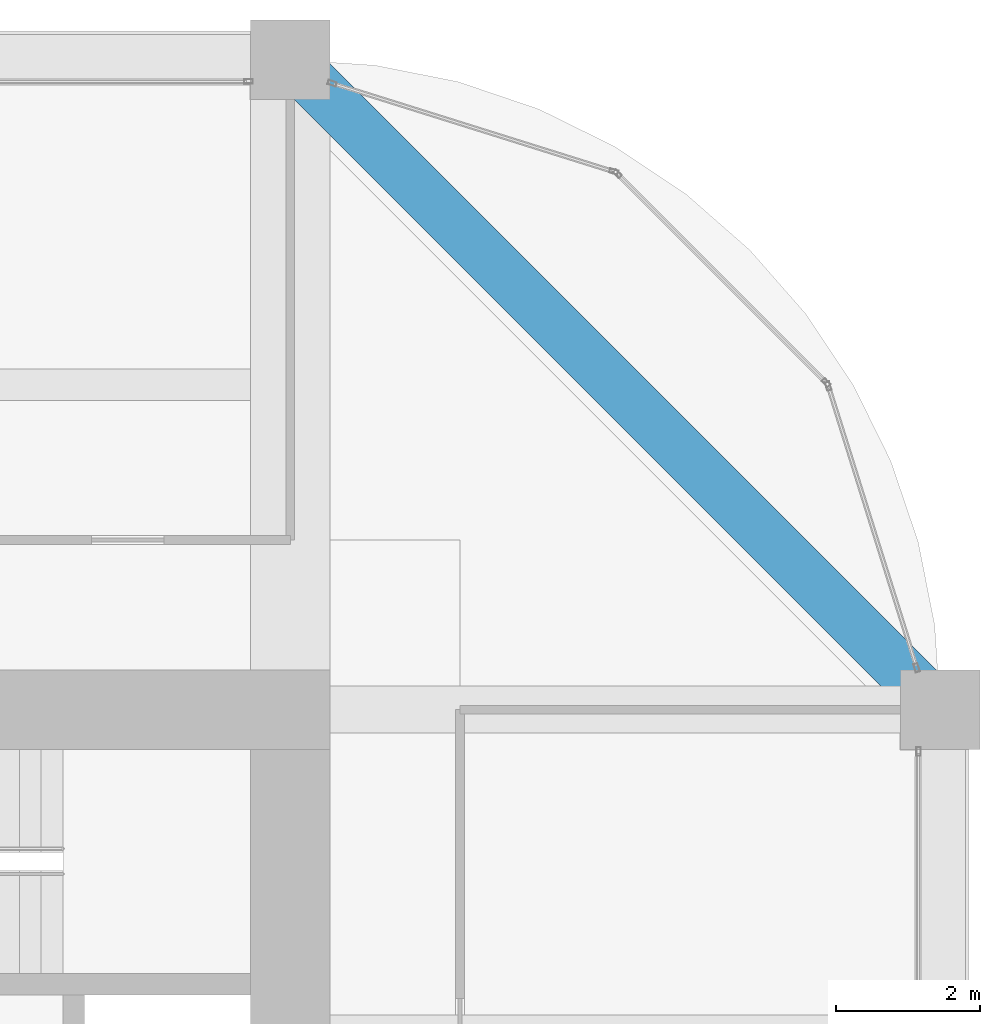
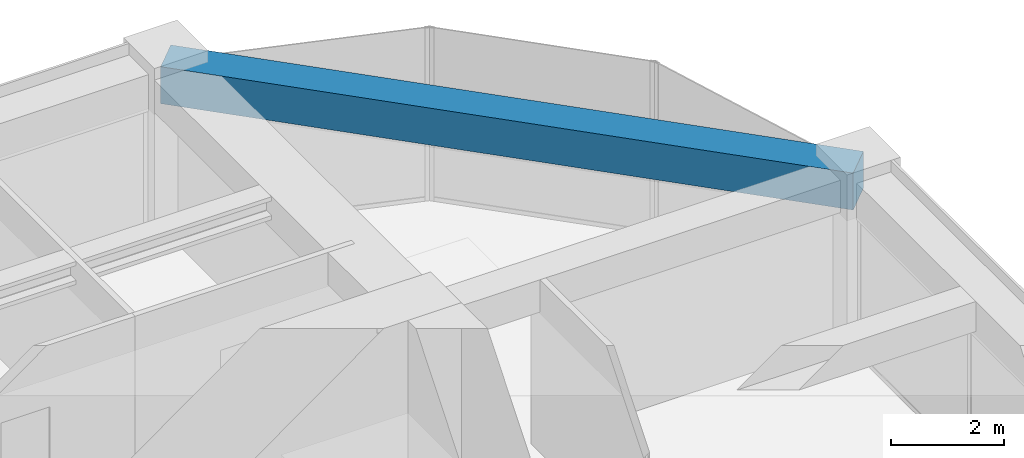
# One storey, part 38 of 44: 1 beam.
"""IFC4 building model written with IfcOpenShell, lengths in metres."""

import ifcopenshell
import ifcopenshell.guid

model = None  # the IFC model being written
_history = None  # IfcOwnerHistory: only IFC2X3 demands one
_inside = {}  # id of a spatial element -> (the spatial element, [elements in it])
_under = {}  # id of a project, library or spatial element -> (it, [spatial elements below it])
_declared = {}  # id of a project -> (the project, [libraries it declares])
_typed = {}  # id of a type object -> (the type object, [elements of that type])
_made_of = {}  # id of a material, layer set ... -> (it, [elements and type objects made of it])


def new_model(schema):
    """Start an empty IFC model of exactly this schema.

    Asked for "IFC4X3", IfcOpenShell would pick the latest addendum, in which some entities
    have other attributes; the version numbers below select the first issue.
    IFC2X3 requires an IfcOwnerHistory on every rooted entity: one is made here for all.
    """
    global model, _history
    if schema == "IFC4X3":
        model = ifcopenshell.file(schema_version=(4, 3, 0, 0))
    else:
        model = ifcopenshell.file(schema=schema)
    _inside.clear()
    _under.clear()
    _declared.clear()
    _typed.clear()
    _made_of.clear()
    _history = None
    if model.schema == "IFC2X3":
        org = make("IfcOrganization", Name="unknown")
        user = make(
            "IfcPersonAndOrganization",
            ThePerson=make("IfcPerson", FamilyName="unknown"),
            TheOrganization=org,
        )
        app = make(
            "IfcApplication",
            ApplicationDeveloper=org,
            Version="unknown",
            ApplicationFullName="unknown",
            ApplicationIdentifier="unknown",
        )
        _history = make(
            "IfcOwnerHistory",
            OwningUser=user,
            OwningApplication=app,
            ChangeAction="ADDED",
            CreationDate=0,
        )
    return model


def make(cls, **values):
    """One entity of the class cls with the attributes given. An attribute that is None is left unset."""
    return model.create_entity(
        cls, **{name: value for name, value in values.items() if value is not None}
    )


def rooted(cls, **values):
    """An entity with a GlobalId (a new one), such as an element, a storey or a relation."""
    return make(cls, GlobalId=ifcopenshell.guid.new(), OwnerHistory=_history, **values)


def si_unit(unit_type, name, prefix=None):
    """IfcSIUnit, for example si_unit("LENGTHUNIT", "METRE", prefix="MILLI")."""
    return make("IfcSIUnit", UnitType=unit_type, Prefix=prefix, Name=name)


def assignment(units):
    """IfcUnitAssignment: the units of a project."""
    return None if units is None else make("IfcUnitAssignment", Units=units)


def point(xyz):
    """IfcCartesianPoint."""
    return None if xyz is None else make("IfcCartesianPoint", Coordinates=xyz)


def direction(xyz):
    """IfcDirection."""
    return None if xyz is None else make("IfcDirection", DirectionRatios=xyz)


def frame(location, z_axis=None, x_axis=None):
    """IfcAxis2Placement3D, a coordinate frame: its origin and axes. An axis left out is left unset."""
    return make(
        "IfcAxis2Placement3D",
        Location=point(location),
        Axis=direction(z_axis),
        RefDirection=direction(x_axis),
    )


def frame_2d(location, x_axis=None):
    """IfcAxis2Placement2D, a coordinate frame in the plane: its origin and x axis."""
    return make(
        "IfcAxis2Placement2D", Location=point(location), RefDirection=direction(x_axis)
    )


def origin():
    """The frame at (0, 0, 0) with its axes left unset."""
    return frame((0.0, 0.0, 0.0))


def origin_2d():
    """The frame at (0, 0) in the plane with its x axis left unset."""
    return frame_2d((0.0, 0.0))


def place(relative_to, where):
    """IfcLocalPlacement: puts the frame where relative to a parent placement (None: the world)."""
    return make(
        "IfcLocalPlacement", PlacementRelTo=relative_to, RelativePlacement=where
    )


def context(
    kind, dimensions, precision=None, world=None, true_north=None, identifier=None
):
    """IfcGeometricRepresentationContext, for example the 3D "Model" context."""
    return make(
        "IfcGeometricRepresentationContext",
        ContextIdentifier=identifier,
        ContextType=kind,
        CoordinateSpaceDimension=dimensions,
        Precision=precision,
        WorldCoordinateSystem=world,
        TrueNorth=true_north,
    )


def subcontext(parent, identifier, kind, view, scale=None):
    """IfcGeometricRepresentationSubContext, for example "Body" below "Model"."""
    return make(
        "IfcGeometricRepresentationSubContext",
        ContextIdentifier=identifier,
        ContextType=kind,
        ParentContext=parent,
        TargetScale=scale,
        TargetView=view,
    )


def project(units=None, contexts=None):
    """IfcProject with its units and contexts."""
    return rooted(
        "IfcProject",
        Name="project",
        RepresentationContexts=contexts,
        UnitsInContext=assignment(units),
    )


def spatial(cls, under=None, at=None, **own):
    """A site, building, storey or space (cls), placed at a placement, below another one or the project."""
    s = rooted(cls, ObjectPlacement=at, **own)
    if under is not None:
        _under.setdefault(under.id(), (under, []))[1].append(s)
    return s


def profile(cls, at=None, kind="AREA", **sizes):
    """A parametric profile (cls). Its sizes go by their IFC names, for example OverallWidth=200.0."""
    return make(cls, ProfileType=kind, Position=at, **sizes)


def rectangle(**sizes):
    """IfcRectangleProfileDef."""
    return profile("IfcRectangleProfileDef", **sizes)


def extrude(swept, where, along, depth):
    """IfcExtrudedAreaSolid: the profile swept, set in the frame where, extruded along a direction by depth."""
    return make(
        "IfcExtrudedAreaSolid",
        SweptArea=swept,
        Position=where,
        ExtrudedDirection=direction(along),
        Depth=depth,
    )


def shape(context_of_items, identifier, shape_type, items):
    """IfcShapeRepresentation: the items that make up one representation, for example the "Body"."""
    return make(
        "IfcShapeRepresentation",
        ContextOfItems=context_of_items,
        RepresentationIdentifier=identifier,
        RepresentationType=shape_type,
        Items=items,
    )


def material(Name=None, Category=None):
    """IfcMaterial."""
    return make("IfcMaterial", Name=Name, Category=Category)


def material_profile(
    of_material, cross_section, Name=None, Category=None, Priority=None
):
    """IfcMaterialProfile: a cross section and its material."""
    return make(
        "IfcMaterialProfile",
        Name=Name,
        Material=of_material,
        Profile=cross_section,
        Priority=Priority,
        Category=Category,
    )


def profile_set(profiles, Name=None, composite=None):
    """IfcMaterialProfileSet."""
    return make(
        "IfcMaterialProfileSet",
        Name=Name,
        MaterialProfiles=profiles,
        CompositeProfile=composite,
    )


def made_of(thing, what):
    """Note that an element or type object is made of a material, layer set ...; save() writes the relation."""
    if what is not None:
        _made_of.setdefault(what.id(), (what, []))[1].append(thing)
    return thing


def type_object(cls, material=None, **own):
    """A type object (cls), such as IfcWallType, which elements share."""
    return made_of(rooted(cls, **own), material)


def element(
    cls,
    number,
    at=None,
    inside=None,
    cuts=None,
    type_object=None,
    material=None,
    context=None,
    identifier="Body",
    shape_type=None,
    held_by="IfcProductDefinitionShape",
    body=None,
    shapes=None,
    **own,
):
    """One element of the class cls, such as IfcWall. Its Tag is "e" and its number.

    at: its placement. inside: the storey or other place that contains it. cuts: it is an
    opening in that element (IfcRelVoidsElement). A single representation is given by context,
    identifier, shape_type and body (its items); several are given by shapes. held_by: the class
    of the entity that holds the representations. save() writes the other relations.
    """
    e = rooted(cls, Tag="e%d" % number, ObjectPlacement=at, **own)
    if body is not None:
        shapes = [shape(context, identifier, shape_type, body)]
    if shapes is not None:
        e.Representation = make(held_by, Representations=shapes)
    if inside is not None:
        _inside.setdefault(inside.id(), (inside, []))[1].append(e)
    if cuts is not None:
        rooted(
            "IfcRelVoidsElement", RelatingBuildingElement=cuts, RelatedOpeningElement=e
        )
    if type_object is not None:
        _typed.setdefault(type_object.id(), (type_object, []))[1].append(e)
    return made_of(e, material)


def aggregate(whole, parts):
    """IfcRelAggregates: a whole, such as a stair, and the parts it consists of."""
    return rooted("IfcRelAggregates", RelatingObject=whole, RelatedObjects=parts)


def save(model, path):
    """Write the relations noted so far, then the file.

    IfcRelAggregates (storeys below a building ...), IfcRelContainedInSpatialStructure (elements
    in a storey), IfcRelDefinesByType, IfcRelAssociatesMaterial and IfcRelDeclares: one each for
    every whole, place, type object, material and project.
    """
    for whole, parts in _under.values():
        aggregate(whole, parts)
    for where, things in _inside.values():
        rooted(
            "IfcRelContainedInSpatialStructure",
            RelatedElements=things,
            RelatingStructure=where,
        )
    for kind, things in _typed.values():
        rooted("IfcRelDefinesByType", RelatedObjects=things, RelatingType=kind)
    for what, things in _made_of.values():
        rooted("IfcRelAssociatesMaterial", RelatedObjects=things, RelatingMaterial=what)
    for by, libraries in _declared.values():
        rooted("IfcRelDeclares", RelatingContext=by, RelatedDefinitions=libraries)
    model.write(path)


model = new_model("IFC4")

# Units and contexts
model_context = context("Model", 3, precision=1e-05, world=origin(), true_north=direction((0.0, 1.0)))
body_context = subcontext(model_context, "Body", "Model", "MODEL_VIEW")
ifc_project = project(units=[si_unit("LENGTHUNIT", "METRE"), si_unit("AREAUNIT", "SQUARE_METRE"), si_unit("VOLUMEUNIT", "CUBIC_METRE"), si_unit("PLANEANGLEUNIT", "RADIAN"), si_unit("MASSUNIT", "GRAM", prefix="KILO")], contexts=[model_context])

# Site, building, storey
site_placement = place(None, origin())
site = spatial("IfcSite", under=ifc_project, at=site_placement, CompositionType="ELEMENT")
building_placement = place(site_placement, origin())
building = spatial("IfcBuilding", under=site, at=building_placement, Name="Zorevar Civic Tower", CompositionType="ELEMENT")
storey_placement = place(building_placement, frame((0.0, 0.0, 251.39990234375)))
storey = spatial("IfcBuildingStorey", under=building, at=storey_placement, Name="L61", CompositionType="ELEMENT", Elevation=251.39990234375)

# Beam
ifc_material = material(Name="Concrete C50/60", Category="concrete")
ifc_material_profile = material_profile(ifc_material, rectangle(XDim=0.699951171875, YDim=0.800048828125, at=origin_2d()), Name="RC 700x800")
ifc_profile_set = profile_set([ifc_material_profile], Name="Concrete C50/60")
beam_type = type_object("IfcBeamType", Name="Edge beam RC 700x800", PredefinedType="SPANDREL", material=ifc_profile_set)
beam_placement = place(storey_placement, frame((54.0, 36.0, 3.35009765625), z_axis=(-0.707106781187, 0.707106781187, 0.0), x_axis=(-0.707106781187, -0.707106781187, 0.0)))
element("IfcBeam", 1, at=beam_placement, inside=storey, type_object=beam_type, Name="Corner edge beam L62", PredefinedType="SPANDREL", context=body_context, shape_type="SweptSolid", body=[
    extrude(rectangle(XDim=0.699951171875, YDim=0.800048828125, at=origin_2d()), origin(), (0.0, 0.0, 1.0), 12.72802734375),
])

save(model, "model.ifc")
